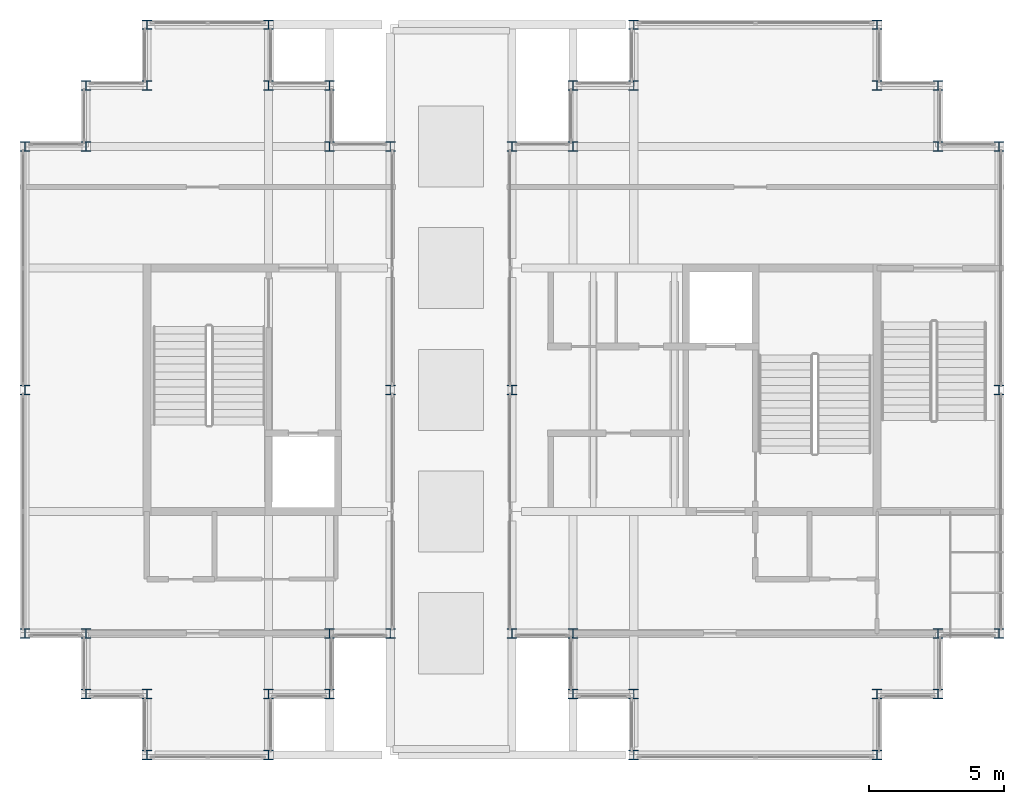
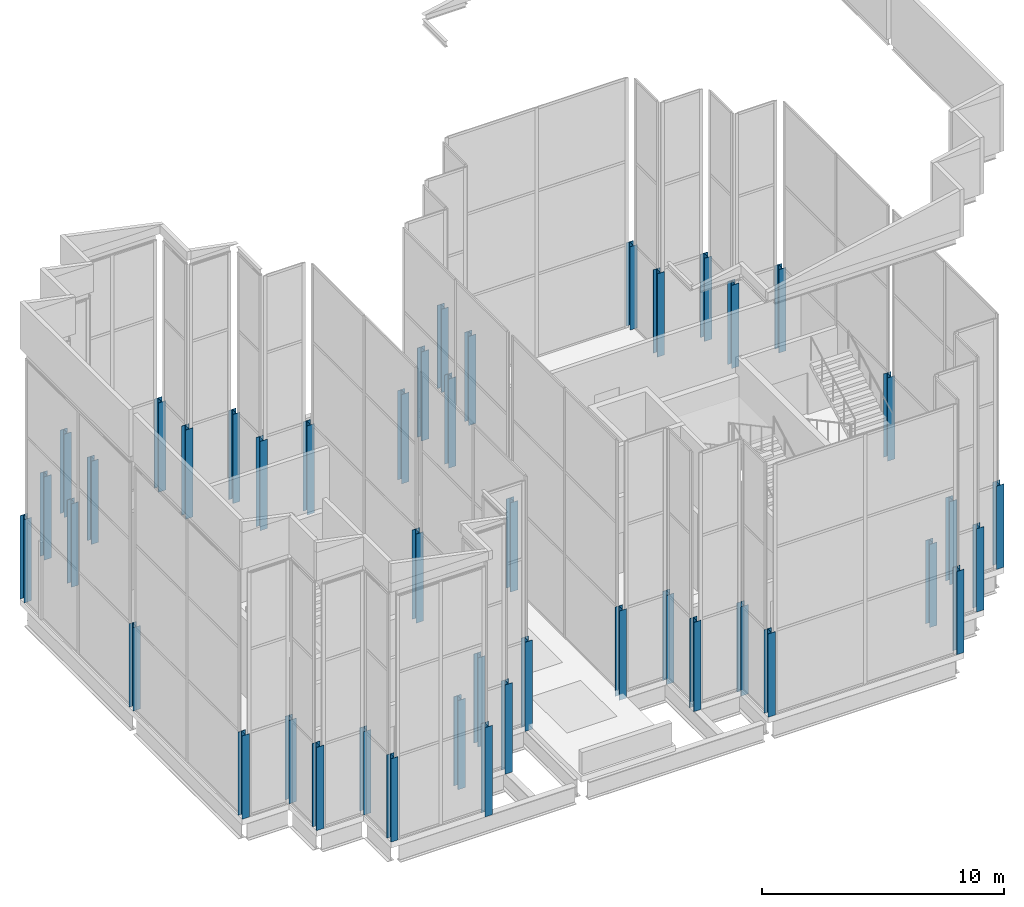
# One storey, part 1 of 23: 44 columns.
"""IFC4 building model written with IfcOpenShell, lengths in metres."""

from ifc_helpers import new_model, si_unit, direction, frame, origin, origin_2d, place, context, subcontext, project, spatial, i_section, extrude, material, material_profile, profile_set, type_object, element, save


model = new_model("IFC4")

# Units and contexts
model_context = context("Model", 3, precision=1e-05, world=origin(), true_north=direction((0.0, 1.0)))
body_context = subcontext(model_context, "Body", "Model", "MODEL_VIEW")
ifc_project = project(units=[si_unit("LENGTHUNIT", "METRE"), si_unit("AREAUNIT", "SQUARE_METRE"), si_unit("VOLUMEUNIT", "CUBIC_METRE"), si_unit("PLANEANGLEUNIT", "RADIAN"), si_unit("MASSUNIT", "GRAM", prefix="KILO")], contexts=[model_context])

# Site, building, storey
site_placement = place(None, origin())
site = spatial("IfcSite", under=ifc_project, at=site_placement, CompositionType="ELEMENT")
building_placement = place(site_placement, origin())
building = spatial("IfcBuilding", under=site, at=building_placement, Name="Caravel Reach Hotel and Residences", CompositionType="ELEMENT")
storey_placement = place(building_placement, frame((0.0, 0.0, 312.800048828125)))
storey = spatial("IfcBuildingStorey", under=building, at=storey_placement, Name="L79", CompositionType="ELEMENT", Elevation=312.800048828125)

# Columns
ifc_material = material(Name="Structural steel Q355B", Category="steel")
ifc_material_profile = material_profile(ifc_material, i_section(OverallWidth=0.35009765625, OverallDepth=0.35009765625, WebThickness=0.011962890625, FlangeThickness=0.01904296875, FilletRadius=0.012939453125, at=origin_2d()), Name="HW 350x350x12x19")
ifc_profile_set = profile_set([ifc_material_profile], Name="Structural steel Q355B")
column_type = type_object("IfcColumnType", Name="Crown column HW 350x350x12x19", PredefinedType="COLUMN", material=ifc_profile_set)
for number, where, z_axis, x_axis, name in (
    (1, (45.0, 13.5, 0.0), (0.0, 0.0, 1.0), (1.0, 0.0, 0.0), "C19 column"),
    (2, (45.0, 15.75, 0.0), (0.0, 0.0, 1.0), (1.0, 0.0, 0.0), "C19 column"),
    (3, (47.25, 15.75, 0.0), (0.0, 0.0, 1.0), (1.0, 0.0, 0.0), "C19 column"),
    (4, (47.25, 18.0, 0.0), (0.0, 0.0, 1.0), (1.0, 0.0, 0.0), "C19 column"),
    (5, (49.5, 18.0, 0.0), (0.0, 0.0, 1.0), (1.0, 0.0, 0.0), "C19 column"),
    (6, (49.5, 27.0, 0.0), (0.0, 0.0, 1.0), (1.0, 0.0, 0.0), "C19 column"),
    (7, (49.5, 36.0, 0.0), (0.0, 0.0, 1.0), (1.0, 0.0, 0.0), "C19 column"),
    (8, (47.25, 36.0, 0.0), (0.0, 0.0, 1.0), (1.0, 0.0, 0.0), "C19 column"),
    (9, (47.25, 38.25, 0.0), (0.0, 0.0, 1.0), (1.0, 0.0, 0.0), "C19 column"),
    (10, (45.0, 38.25, 0.0), (0.0, 0.0, 1.0), (1.0, 0.0, 0.0), "C19 column"),
    (11, (45.0, 40.5, 0.0), (0.0, 0.0, 1.0), (1.0, 0.0, 0.0), "C19 column"),
    (12, (36.0, 40.5, 0.0), (0.0, 0.0, 1.0), (1.0, 0.0, 0.0), "C19 column"),
):
    element("IfcColumn", number, at=place(storey_placement, frame(where, z_axis=z_axis, x_axis=x_axis)), inside=storey, type_object=column_type, Name=name, PredefinedType="COLUMN", context=body_context, shape_type="SweptSolid", body=[
        extrude(i_section(OverallWidth=0.35009765625, OverallDepth=0.35009765625, WebThickness=0.011962890625, FlangeThickness=0.01904296875, FilletRadius=0.012939453125, at=origin_2d()), origin(), (0.0, 0.0, 1.0), 4.199951171875),
    ])
for number, where, z_axis, x_axis, name in (
    (13, (36.0, 38.25, -0.300048828125), (0.0, 0.0, 1.0), (1.0, 0.0, 0.0), "C19 column"),
    (14, (33.75, 38.25, -0.300048828125), (0.0, 0.0, 1.0), (1.0, 0.0, 0.0), "C19 column"),
    (15, (33.75, 36.0, -0.300048828125), (0.0, 0.0, 1.0), (1.0, 0.0, 0.0), "C19 column"),
    (16, (31.5, 36.0, -0.300048828125), (0.0, 0.0, 1.0), (1.0, 0.0, 0.0), "C19 column"),
    (17, (31.5, 27.0, -0.300048828125), (0.0, 0.0, 1.0), (1.0, 0.0, 0.0), "C19 column"),
    (18, (31.5, 18.0, -0.300048828125), (0.0, 0.0, 1.0), (1.0, 0.0, 0.0), "C19 column"),
    (19, (33.75, 18.0, -0.300048828125), (0.0, 0.0, 1.0), (1.0, 0.0, 0.0), "C19 column"),
    (20, (33.75, 15.75, -0.300048828125), (0.0, 0.0, 1.0), (1.0, 0.0, 0.0), "C19 column"),
    (21, (36.0, 15.75, -0.300048828125), (0.0, 0.0, 1.0), (1.0, 0.0, 0.0), "C19 column"),
):
    element("IfcColumn", number, at=place(storey_placement, frame(where, z_axis=z_axis, x_axis=x_axis)), inside=storey, type_object=column_type, Name=name, PredefinedType="COLUMN", context=body_context, shape_type="SweptSolid", body=[
        extrude(i_section(OverallWidth=0.35009765625, OverallDepth=0.35009765625, WebThickness=0.011962890625, FlangeThickness=0.01904296875, FilletRadius=0.012939453125, at=origin_2d()), origin(), (0.0, 0.0, 1.0), 4.5),
    ])
column_placement = place(storey_placement, frame((36.0, 13.5, 0.0), z_axis=(0.0, 0.0, 1.0), x_axis=(1.0, 0.0, 0.0)))
element("IfcColumn", 22, at=column_placement, inside=storey, type_object=column_type, Name="C19 column", PredefinedType="COLUMN", context=body_context, shape_type="SweptSolid", body=[
    extrude(i_section(OverallWidth=0.35009765625, OverallDepth=0.35009765625, WebThickness=0.011962890625, FlangeThickness=0.01904296875, FilletRadius=0.012939453125, at=origin_2d()), origin(), (0.0, 0.0, 1.0), 4.199951171875),
])
for number, where, z_axis, x_axis, name in (
    (23, (22.5, 13.5, -0.300048828125), (0.0, 0.0, 1.0), (1.0, 0.0, 0.0), "C19 column"),
    (24, (22.5, 15.75, -0.300048828125), (0.0, 0.0, 1.0), (1.0, 0.0, 0.0), "C19 column"),
    (25, (24.75, 15.75, -0.300048828125), (0.0, 0.0, 1.0), (1.0, 0.0, 0.0), "C19 column"),
    (26, (24.75, 18.0, -0.300048828125), (0.0, 0.0, 1.0), (1.0, 0.0, 0.0), "C19 column"),
    (27, (27.0, 18.0, -0.300048828125), (0.0, 0.0, 1.0), (1.0, 0.0, 0.0), "C19 column"),
    (28, (27.0, 27.0, -0.300048828125), (0.0, 0.0, 1.0), (1.0, 0.0, 0.0), "C19 column"),
    (29, (27.0, 36.0, -0.300048828125), (0.0, 0.0, 1.0), (1.0, 0.0, 0.0), "C19 column"),
    (30, (24.75, 36.0, -0.300048828125), (0.0, 0.0, 1.0), (1.0, 0.0, 0.0), "C19 column"),
    (31, (24.75, 38.25, -0.300048828125), (0.0, 0.0, 1.0), (1.0, 0.0, 0.0), "C19 column"),
    (32, (22.5, 38.25, -0.300048828125), (0.0, 0.0, 1.0), (1.0, 0.0, 0.0), "C19 column"),
    (33, (22.5, 40.5, -0.300048828125), (0.0, 0.0, 1.0), (1.0, 0.0, 0.0), "C19 column"),
):
    element("IfcColumn", number, at=place(storey_placement, frame(where, z_axis=z_axis, x_axis=x_axis)), inside=storey, type_object=column_type, Name=name, PredefinedType="COLUMN", context=body_context, shape_type="SweptSolid", body=[
        extrude(i_section(OverallWidth=0.35009765625, OverallDepth=0.35009765625, WebThickness=0.011962890625, FlangeThickness=0.01904296875, FilletRadius=0.012939453125, at=origin_2d()), origin(), (0.0, 0.0, 1.0), 4.5),
    ])
for number, where, z_axis, x_axis, name in (
    (34, (18.0, 40.5, 0.0), (0.0, 0.0, 1.0), (1.0, 0.0, 0.0), "C19 column"),
    (35, (18.0, 38.25, 0.0), (0.0, 0.0, 1.0), (1.0, 0.0, 0.0), "C19 column"),
    (36, (15.75, 38.25, 0.0), (0.0, 0.0, 1.0), (1.0, 0.0, 0.0), "C19 column"),
    (37, (15.75, 36.0, 0.0), (0.0, 0.0, 1.0), (1.0, 0.0, 0.0), "C19 column"),
    (38, (13.5, 36.0, 0.0), (0.0, 0.0, 1.0), (1.0, 0.0, 0.0), "C19 column"),
    (39, (13.5, 27.0, 0.0), (0.0, 0.0, 1.0), (1.0, 0.0, 0.0), "C19 column"),
    (40, (13.5, 18.0, 0.0), (0.0, 0.0, 1.0), (1.0, 0.0, 0.0), "C19 column"),
    (41, (15.75, 18.0, 0.0), (0.0, 0.0, 1.0), (1.0, 0.0, 0.0), "C19 column"),
    (42, (15.75, 15.75, 0.0), (0.0, 0.0, 1.0), (1.0, 0.0, 0.0), "C19 column"),
    (43, (18.0, 15.75, 0.0), (0.0, 0.0, 1.0), (1.0, 0.0, 0.0), "C19 column"),
    (44, (18.0, 13.5, 0.0), (0.0, 0.0, 1.0), (1.0, 0.0, 0.0), "C19 column"),
):
    element("IfcColumn", number, at=place(storey_placement, frame(where, z_axis=z_axis, x_axis=x_axis)), inside=storey, type_object=column_type, Name=name, PredefinedType="COLUMN", context=body_context, shape_type="SweptSolid", body=[
        extrude(i_section(OverallWidth=0.35009765625, OverallDepth=0.35009765625, WebThickness=0.011962890625, FlangeThickness=0.01904296875, FilletRadius=0.012939453125, at=origin_2d()), origin(), (0.0, 0.0, 1.0), 4.199951171875),
    ])

save(model, "model.ifc")
